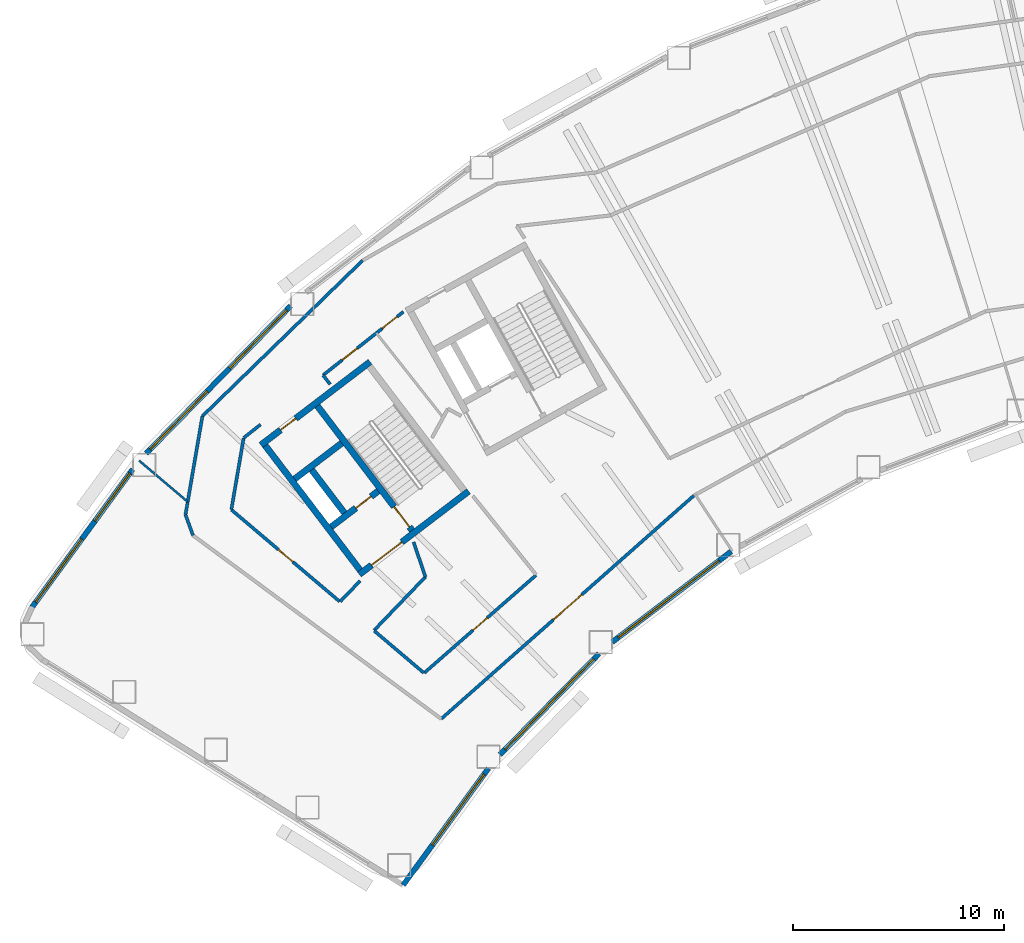
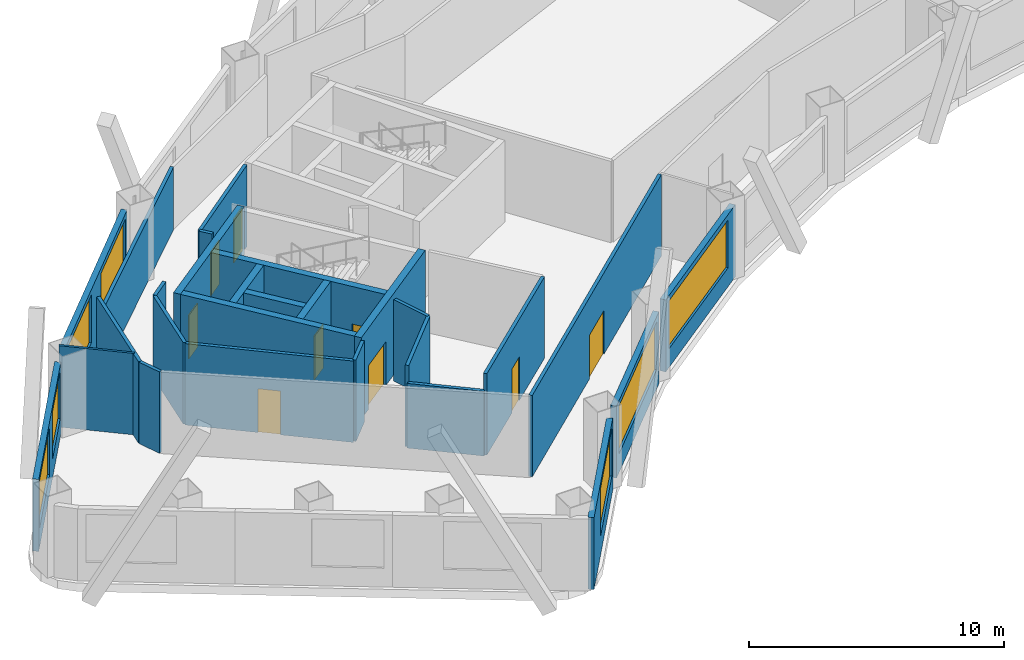
# One storey, part 3 of 11: 27 walls, 9 doors, 7 windows, 16 openings.
"""IFC4 building model written with IfcOpenShell, lengths in metres."""

from ifc_helpers import new_model, si_unit, direction, frame, frame_2d, origin, place, context, subcontext, project, spatial, rectangle, extrude, material, layer, layer_set, type_object, element, fill, save


model = new_model("IFC4")

# Units and contexts
model_context = context("Model", 3, precision=1e-05, world=origin(), true_north=direction((0.0, 1.0)))
body_context = subcontext(model_context, "Body", "Model", "MODEL_VIEW")
ifc_project = project(units=[si_unit("LENGTHUNIT", "METRE"), si_unit("AREAUNIT", "SQUARE_METRE"), si_unit("VOLUMEUNIT", "CUBIC_METRE"), si_unit("PLANEANGLEUNIT", "RADIAN"), si_unit("MASSUNIT", "GRAM", prefix="KILO")], contexts=[model_context])

# Site, building, storey
site_placement = place(None, origin())
site = spatial("IfcSite", under=ifc_project, at=site_placement, CompositionType="ELEMENT")
building_placement = place(site_placement, origin())
building = spatial("IfcBuilding", under=site, at=building_placement, Name="Tuul Gate Civic Tower", CompositionType="ELEMENT")
storey_placement = place(building_placement, frame((0.0, 0.0, 99.300048828125)))
storey = spatial("IfcBuildingStorey", under=building, at=storey_placement, Name="Level 22", CompositionType="ELEMENT", Elevation=99.300048828125)

# Wall, opening, door
ifc_material_1 = material(Name="Concrete C50/60", Category="concrete")
ifc_layer_1 = layer(ifc_material_1, 0.300048828125)
ifc_layer_set_1 = layer_set([ifc_layer_1], Name="Concrete C50/60")
wall_type_1 = type_object("IfcWallType", Name="Core wall C50/60", PredefinedType="SHEAR", material=ifc_layer_set_1)
wall_1_placement = place(storey_placement, frame((-31.19091796875, -13.669677734375, 0.0), z_axis=(0.0, 0.0, 1.0), x_axis=(-0.795606717756, -0.605813461934, 0.0)))
wall_1 = element("IfcWall", 1, at=wall_1_placement, inside=storey, type_object=wall_type_1, Name="Core wall", PredefinedType="SHEAR", context=body_context, shape_type="SweptSolid", body=[
    extrude(rectangle(XDim=6.5, YDim=0.300048828125, at=frame_2d((3.25, 0.0))), origin(), (0.0, 0.0, 1.0), 3.89990234375),
])
opening_1_placement = place(wall_1_placement, frame((3.97509765625, 0.0, 0.0)))
opening_1 = element("IfcOpeningElement", 2, at=opening_1_placement, cuts=wall_1, Name="Opening LB-W1-LOBBY-1", PredefinedType="OPENING", context=body_context, shape_type="SweptSolid", body=[
    extrude(rectangle(XDim=1.800048828125, YDim=2.10009765625, at=frame_2d((0.89990234375, 1.050048828125))), frame((0.0, 0.16015625, 0.0), z_axis=(0.0, -1.0, 0.0), x_axis=(1.0, 0.0, 0.0)), (0.0, 0.0, 1.0), 0.320068359375),
])
ifc_material_2 = material(Name="Steel", Category="steel")
door_type_1 = type_object("IfcDoorType", Name="Lobby door", OperationType="DOUBLE_DOOR_SINGLE_SWING", PredefinedType="DOOR", material=ifc_material_2)
door_1_placement = place(opening_1_placement, origin())
door_1 = element("IfcDoor", 3, at=door_1_placement, inside=storey, type_object=door_type_1, Name="Lobby door W1-LOBBY", OperationType="DOUBLE_DOOR_SINGLE_SWING", OverallHeight=2.10009765625, OverallWidth=1.800048828125, PredefinedType="DOOR", context=body_context, shape_type="SweptSolid", body=[
    extrude(rectangle(XDim=1.800048828125, YDim=2.10009765625, at=frame_2d((0.89990234375, 1.050048828125))), frame((0.0, 0.02490234375, 0.0), z_axis=(0.0, -1.0, 0.0), x_axis=(1.0, 0.0, 0.0)), (0.0, 0.0, 1.0), 0.050048828125),
])
fill(opening_1, door_1)

wall_2_placement = place(storey_placement, frame((-35.470947265625, -13.66064453125, 0.0), z_axis=(0.0, 0.0, 1.0), x_axis=(-0.795615822227, -0.605801504968, 0.0)))
wall_2 = element("IfcWall", 4, at=wall_2_placement, inside=storey, type_object=wall_type_1, Name="Core wall", PredefinedType="SHEAR", context=body_context, shape_type="SweptSolid", body=[
    extrude(rectangle(XDim=2.800048828125, YDim=0.300048828125, at=frame_2d((1.39990234375, 0.0))), origin(), (0.0, 0.0, 1.0), 3.89990234375),
])
opening_2_placement = place(wall_2_placement, frame((0.425048828125, 0.0, 0.0)))
opening_2 = element("IfcOpeningElement", 5, at=opening_2_placement, cuts=wall_2, Name="Opening FB-W1A1", PredefinedType="OPENING", context=body_context, shape_type="SweptSolid", body=[
    extrude(rectangle(XDim=0.89990234375, YDim=2.10009765625, at=frame_2d((0.449951171875, 1.050048828125))), frame((0.0, 0.16015625, 0.0), z_axis=(0.0, -1.0, 0.0), x_axis=(1.0, 0.0, 0.0)), (0.0, 0.0, 1.0), 0.320068359375),
])
ifc_material_3 = material(Name="Steel", Category="steel")
door_type_2 = type_object("IfcDoorType", Name="Store door", OperationType="NOTDEFINED", PredefinedType="DOOR", material=ifc_material_3)
door_2_placement = place(opening_2_placement, origin())
door_2 = element("IfcDoor", 6, at=door_2_placement, inside=storey, type_object=door_type_2, Name="Store door W1A1", OperationType="SINGLE_SWING_LEFT", OverallHeight=2.10009765625, OverallWidth=0.89990234375, PredefinedType="DOOR", context=body_context, shape_type="SweptSolid", body=[
    extrude(rectangle(XDim=0.89990234375, YDim=2.10009765625, at=frame_2d((0.449951171875, 1.050048828125))), frame((0.0, 0.02490234375, 0.0), z_axis=(0.0, -1.0, 0.0), x_axis=(1.0, 0.0, 0.0)), (0.0, 0.0, 1.0), 0.050048828125),
])
fill(opening_2, door_2)

# Wall
wall_3_placement = place(storey_placement, frame((-37.197509765625, -11.39306640625, 0.0), z_axis=(0.0, 0.0, 1.0), x_axis=(-0.795583820278, -0.605843531707, 0.0)))
element("IfcWall", 7, at=wall_3_placement, inside=storey, type_object=wall_type_1, Name="Core wall", PredefinedType="SHEAR", context=body_context, shape_type="SweptSolid", body=[
    extrude(rectangle(XDim=2.7998046875, YDim=0.300048828125, at=frame_2d((1.39990234375, 0.0))), origin(), (0.0, 0.0, 1.0), 3.89990234375),
])

# Wall, opening, door
wall_4_placement = place(storey_placement, frame((-35.855224609375, -7.543212890625, 0.0), z_axis=(0.0, 0.0, 1.0), x_axis=(-0.79563860527, -0.605771582202, 0.0)))
wall_4 = element("IfcWall", 8, at=wall_4_placement, inside=storey, type_object=wall_type_1, Name="Core wall", PredefinedType="SHEAR", context=body_context, shape_type="SweptSolid", body=[
    extrude(rectangle(XDim=6.5, YDim=0.300048828125, at=frame_2d((3.25, 0.0))), origin(), (0.0, 0.0, 1.0), 3.89990234375),
])
opening_3_placement = place(wall_4_placement, frame((4.425048828125, 0.0, 0.0)))
opening_3 = element("IfcOpeningElement", 9, at=opening_3_placement, cuts=wall_4, Name="Opening G-D25", PredefinedType="OPENING", context=body_context, shape_type="SweptSolid", body=[
    extrude(rectangle(XDim=0.89990234375, YDim=2.10009765625, at=frame_2d((0.449951171875, 1.050048828125))), frame((0.0, 0.16015625, 0.0), z_axis=(0.0, -1.0, 0.0), x_axis=(1.0, 0.0, 0.0)), (0.0, 0.0, 1.0), 0.320068359375),
])
ifc_material_4 = material(Name="Timber door leaf", Category="wood")
door_type_3 = type_object("IfcDoorType", Name="Door D09", OperationType="NOTDEFINED", PredefinedType="DOOR", material=ifc_material_4)
door_3_placement = place(opening_3_placement, origin())
door_3 = element("IfcDoor", 10, at=door_3_placement, inside=storey, type_object=door_type_3, Name="Door G-D25", OperationType="SINGLE_SWING_LEFT", OverallHeight=2.10009765625, OverallWidth=0.89990234375, PredefinedType="DOOR", context=body_context, shape_type="SweptSolid", body=[
    extrude(rectangle(XDim=0.89990234375, YDim=2.10009765625, at=frame_2d((0.449951171875, 1.050048828125))), frame((0.0, 0.02490234375, 0.0), z_axis=(0.0, -1.0, 0.0), x_axis=(1.0, 0.0, 0.0)), (0.0, 0.0, 1.0), 0.050048828125),
])
fill(opening_3, door_3)

wall_5_placement = place(storey_placement, frame((-33.867431640625, -15.51904296875, 0.0), z_axis=(0.0, 0.0, 1.0), x_axis=(-0.605769822278, 0.795639945213, 0.0)))
wall_5 = element("IfcWall", 11, at=wall_5_placement, inside=storey, type_object=wall_type_1, Name="Core wall", PredefinedType="SHEAR", context=body_context, shape_type="SweptSolid", body=[
    extrude(rectangle(XDim=7.39990234375, YDim=0.300048828125, at=frame_2d((3.699951171875, 0.0))), origin(), (0.0, 0.0, 1.0), 3.89990234375),
])
opening_4_placement = place(wall_5_placement, frame((0.199951171875, 0.0, 0.0)))
opening_4 = element("IfcOpeningElement", 12, at=opening_4_placement, cuts=wall_5, Name="Opening SD-ST-1", PredefinedType="OPENING", context=body_context, shape_type="SweptSolid", body=[
    extrude(rectangle(XDim=1.199951171875, YDim=2.10009765625, at=frame_2d((0.60009765625, 1.050048828125))), frame((0.0, 0.16015625, 0.0), z_axis=(0.0, -1.0, 0.0), x_axis=(1.0, 0.0, 0.0)), (0.0, 0.0, 1.0), 0.320068359375),
])
ifc_material_5 = material(Name="Steel", Category="steel")
door_type_4 = type_object("IfcDoorType", Name="Stair door", OperationType="NOTDEFINED", PredefinedType="DOOR", material=ifc_material_5)
door_4_placement = place(opening_4_placement, origin())
door_4 = element("IfcDoor", 13, at=door_4_placement, inside=storey, type_object=door_type_4, Name="Stair door ST-1", OperationType="SINGLE_SWING_LEFT", OverallHeight=2.10009765625, OverallWidth=1.199951171875, PredefinedType="DOOR", context=body_context, shape_type="SweptSolid", body=[
    extrude(rectangle(XDim=1.199951171875, YDim=2.10009765625, at=frame_2d((0.60009765625, 1.050048828125))), frame((0.0, 0.02490234375, 0.0), z_axis=(0.0, -1.0, 0.0), x_axis=(1.0, 0.0, 0.0)), (0.0, 0.0, 1.0), 0.050048828125),
])
fill(opening_4, door_4)

# Walls
wall_6_placement = place(storey_placement, frame((-37.073486328125, -14.6923828125, 0.0), z_axis=(0.0, 0.0, 1.0), x_axis=(-0.605728760074, 0.79567120673, 0.0)))
element("IfcWall", 14, at=wall_6_placement, inside=storey, type_object=wall_type_1, Name="Core wall", PredefinedType="SHEAR", context=body_context, shape_type="SweptSolid", body=[
    extrude(rectangle(XDim=2.550048828125, YDim=0.300048828125, at=frame_2d((1.27490234375, 0.0))), origin(), (0.0, 0.0, 1.0), 3.89990234375),
])
wall_7_placement = place(storey_placement, frame((-36.333984375, -17.397216796875, 0.0), z_axis=(0.0, 0.0, 1.0), x_axis=(-0.605753921168, 0.795652051458, 0.0)))
element("IfcWall", 15, at=wall_7_placement, inside=storey, type_object=wall_type_1, Name="Core wall", PredefinedType="SHEAR", context=body_context, shape_type="SweptSolid", body=[
    extrude(rectangle(XDim=7.400146484375, YDim=0.300048828125, at=frame_2d((3.7001953125, 0.0))), origin(), (0.0, 0.0, 1.0), 3.89990234375),
])
ifc_material_6 = material(Name="Gypsum board partition")
ifc_layer_2 = layer(ifc_material_6, 0.14990234375)
ifc_layer_set_2 = layer_set([ifc_layer_2], Name="Gypsum board partition")
wall_type_2 = type_object("IfcWallType", Name="Corridor wall P150", PredefinedType="PARTITIONING", material=ifc_layer_set_2)
wall_8_placement = place(storey_placement, frame((-44.59521484375, -14.7802734375, 0.0), z_axis=(0.0, 0.0, 1.0), x_axis=(0.169055426536, 0.985606545615, 0.0)))
element("IfcWall", 16, at=wall_8_placement, inside=storey, type_object=wall_type_2, Name="p017", PredefinedType="PARTITIONING", context=body_context, shape_type="SweptSolid", body=[
    extrude(rectangle(XDim=4.73388671875, YDim=0.14990234375, at=frame_2d((2.366943359375, 0.0))), origin(), (0.0, 0.0, 1.0), 3.89990234375),
])

# Wall, opening, door
wall_9_placement = place(storey_placement, frame((-32.48779296875, -24.447509765625, 0.0), z_axis=(0.0, 0.0, 1.0), x_axis=(0.749311969877, 0.662217163624, 0.0)))
wall_9 = element("IfcWall", 17, at=wall_9_placement, inside=storey, type_object=wall_type_2, Name="p024", PredefinedType="PARTITIONING", context=body_context, shape_type="SweptSolid", body=[
    extrude(rectangle(XDim=15.966796875, YDim=0.14990234375, at=frame_2d((7.9833984375, 0.0))), origin(), (0.0, 0.0, 1.0), 3.89990234375),
])
opening_5_placement = place(wall_9_placement, frame((7.083251953125, 0.0, 0.0)))
opening_5 = element("IfcOpeningElement", 18, at=opening_5_placement, cuts=wall_9, Name="Opening G-D08", PredefinedType="OPENING", context=body_context, shape_type="SweptSolid", body=[
    extrude(rectangle(XDim=1.800048828125, YDim=2.10009765625, at=frame_2d((0.89990234375, 1.050048828125))), frame((0.0, 0.0849609375, 0.0), z_axis=(0.0, -1.0, 0.0), x_axis=(1.0, 0.0, 0.0)), (0.0, 0.0, 1.0), 0.169921875),
])
ifc_material_7 = material(Name="Timber door leaf, double", Category="wood")
door_type_5 = type_object("IfcDoorType", Name="Door D18", OperationType="DOUBLE_DOOR_SINGLE_SWING", PredefinedType="DOOR", material=ifc_material_7)
door_5_placement = place(opening_5_placement, frame((1.800048828125, 0.0, 0.0), z_axis=(0.0, 0.0, 1.0), x_axis=(-1.0, 0.0, 0.0)))
door_5 = element("IfcDoor", 19, at=door_5_placement, inside=storey, type_object=door_type_5, Name="Door G-D08", OperationType="DOUBLE_DOOR_SINGLE_SWING", OverallHeight=2.10009765625, OverallWidth=1.800048828125, PredefinedType="DOOR", context=body_context, shape_type="SweptSolid", body=[
    extrude(rectangle(XDim=1.800048828125, YDim=2.10009765625, at=frame_2d((0.900146484375, 1.050048828125))), frame((0.0, 0.02490234375, 0.0), z_axis=(0.0, -1.0, 0.0), x_axis=(1.0, 0.0, 0.0)), (0.0, 0.0, 1.0), 0.050048828125),
])
fill(opening_5, door_5)

# Walls
wall_10_placement = place(storey_placement, frame((-44.59521484375, -14.7802734375, 0.0), z_axis=(0.0, 0.0, 1.0), x_axis=(0.341856016558, -0.939752341813, 0.0)))
element("IfcWall", 20, at=wall_10_placement, inside=storey, type_object=wall_type_2, Name="p026", PredefinedType="PARTITIONING", context=body_context, shape_type="SweptSolid", body=[
    extrude(rectangle(XDim=1.041259765625, YDim=0.14990234375, at=frame_2d((0.5205078125, 0.0))), origin(), (0.0, 0.0, 1.0), 3.89990234375),
])
wall_11_placement = place(storey_placement, frame((-38.083251953125, -8.17626953125, 0.0), z_axis=(0.0, 0.0, 1.0), x_axis=(0.619832634479, -0.784734034712, 0.0)))
element("IfcWall", 21, at=wall_11_placement, inside=storey, type_object=wall_type_2, Name="p034", PredefinedType="PARTITIONING", context=body_context, shape_type="SweptSolid", body=[
    extrude(rectangle(XDim=0.54638671875, YDim=0.14990234375, at=frame_2d((0.273193359375, 0.0))), origin(), (0.0, 0.0, 1.0), 3.89990234375),
])
wall_12_placement = place(storey_placement, frame((-41.834716796875, -11.138916015625, 0.0), z_axis=(0.0, 0.0, 1.0), x_axis=(0.784697148831, 0.61987933069, 0.0)))
element("IfcWall", 22, at=wall_12_placement, inside=storey, type_object=wall_type_2, Name="p035", PredefinedType="PARTITIONING", context=body_context, shape_type="SweptSolid", body=[
    extrude(rectangle(XDim=1.01025390625, YDim=0.14990234375, at=frame_2d((0.505126953125, 0.0))), origin(), (0.0, 0.0, 1.0), 3.89990234375),
])

# Wall, openings, doors
wall_13_placement = place(storey_placement, frame((-38.083251953125, -8.17626953125, 0.0), z_axis=(0.0, 0.0, 1.0), x_axis=(0.784779612549, 0.619774926668, 0.0)))
wall_13 = element("IfcWall", 23, at=wall_13_placement, inside=storey, type_object=wall_type_2, Name="p036", PredefinedType="PARTITIONING", context=body_context, shape_type="SweptSolid", body=[
    extrude(rectangle(XDim=4.84716796875, YDim=0.14990234375, at=frame_2d((2.423583984375, 0.0))), origin(), (0.0, 0.0, 1.0), 3.89990234375),
])
opening_6_placement = place(wall_13_placement, frame((1.159912109375, 0.0, 0.0)))
opening_6 = element("IfcOpeningElement", 24, at=opening_6_placement, cuts=wall_13, Name="Opening G-D12", PredefinedType="OPENING", context=body_context, shape_type="SweptSolid", body=[
    extrude(rectangle(XDim=0.89990234375, YDim=2.10009765625, at=frame_2d((0.449951171875, 1.050048828125))), frame((0.0, 0.0849609375, 0.0), z_axis=(0.0, -1.0, 0.0), x_axis=(1.0, 0.0, 0.0)), (0.0, 0.0, 1.0), 0.169921875),
])
opening_7_placement = place(wall_13_placement, frame((3.569091796875, 0.0, 0.0)))
opening_7 = element("IfcOpeningElement", 25, at=opening_7_placement, cuts=wall_13, Name="Opening G-D24", PredefinedType="OPENING", context=body_context, shape_type="SweptSolid", body=[
    extrude(rectangle(XDim=0.89990234375, YDim=2.10009765625, at=frame_2d((0.449951171875, 1.050048828125))), frame((0.0, 0.0849609375, 0.0), z_axis=(0.0, -1.0, 0.0), x_axis=(1.0, 0.0, 0.0)), (0.0, 0.0, 1.0), 0.169921875),
])
door_6_placement = place(opening_6_placement, origin())
door_6 = element("IfcDoor", 26, at=door_6_placement, inside=storey, type_object=door_type_3, Name="Door G-D12", OperationType="SINGLE_SWING_RIGHT", OverallHeight=2.10009765625, OverallWidth=0.89990234375, PredefinedType="DOOR", context=body_context, shape_type="SweptSolid", body=[
    extrude(rectangle(XDim=0.89990234375, YDim=2.10009765625, at=frame_2d((0.449951171875, 1.050048828125))), frame((0.0, 0.02490234375, 0.0), z_axis=(0.0, -1.0, 0.0), x_axis=(1.0, 0.0, 0.0)), (0.0, 0.0, 1.0), 0.050048828125),
])
fill(opening_6, door_6)
door_7_placement = place(opening_7_placement, frame((0.89990234375, 0.0, 0.0), z_axis=(0.0, 0.0, 1.0), x_axis=(-1.0, 0.0, 0.0)))
door_7 = element("IfcDoor", 27, at=door_7_placement, inside=storey, type_object=door_type_3, Name="Door G-D24", OperationType="SINGLE_SWING_RIGHT", OverallHeight=2.10009765625, OverallWidth=0.89990234375, PredefinedType="DOOR", context=body_context, shape_type="SweptSolid", body=[
    extrude(rectangle(XDim=0.89990234375, YDim=2.10009765625, at=frame_2d((0.449951171875, 1.050048828125))), frame((0.0, 0.02490234375, 0.0), z_axis=(0.0, -1.0, 0.0), x_axis=(1.0, 0.0, 0.0)), (0.0, 0.0, 1.0), 0.050048828125),
])
fill(opening_7, door_7)

# Wall
wall_14_placement = place(storey_placement, frame((-37.26708984375, -18.89111328125, 0.0), z_axis=(0.0, 0.0, 1.0), x_axis=(0.69281148045, 0.721118750662, 0.0)))
element("IfcWall", 28, at=wall_14_placement, inside=storey, type_object=wall_type_2, Name="p039", PredefinedType="PARTITIONING", context=body_context, shape_type="SweptSolid", body=[
    extrude(rectangle(XDim=1.36279296875, YDim=0.14990234375, at=frame_2d((0.681396484375, 0.0))), origin(), (0.0, 0.0, 1.0), 3.89990234375),
])

# Wall, opening, door
wall_15_placement = place(storey_placement, frame((-42.415283203125, -14.5517578125, 0.0), z_axis=(0.0, 0.0, 1.0), x_axis=(0.762828712337, -0.646600615244, 0.0)))
wall_15 = element("IfcWall", 29, at=wall_15_placement, inside=storey, type_object=wall_type_2, Name="p040", PredefinedType="PARTITIONING", context=body_context, shape_type="SweptSolid", body=[
    extrude(rectangle(XDim=6.71337890625, YDim=0.14990234375, at=frame_2d((3.356689453125, 0.0))), origin(), (0.0, 0.0, 1.0), 3.89990234375),
])
opening_8_placement = place(wall_15_placement, frame((2.906494140625, 0.0, 0.0)))
opening_8 = element("IfcOpeningElement", 30, at=opening_8_placement, cuts=wall_15, Name="Opening G-D13", PredefinedType="OPENING", context=body_context, shape_type="SweptSolid", body=[
    extrude(rectangle(XDim=0.89990234375, YDim=2.10009765625, at=frame_2d((0.449951171875, 1.050048828125))), frame((0.0, 0.0849609375, 0.0), z_axis=(0.0, -1.0, 0.0), x_axis=(1.0, 0.0, 0.0)), (0.0, 0.0, 1.0), 0.169921875),
])
door_8_placement = place(opening_8_placement, origin())
door_8 = element("IfcDoor", 31, at=door_8_placement, inside=storey, type_object=door_type_3, Name="Door G-D13", OperationType="SINGLE_SWING_RIGHT", OverallHeight=2.10009765625, OverallWidth=0.89990234375, PredefinedType="DOOR", context=body_context, shape_type="SweptSolid", body=[
    extrude(rectangle(XDim=0.89990234375, YDim=2.10009765625, at=frame_2d((0.449951171875, 1.050048828125))), frame((0.0, 0.02490234375, 0.0), z_axis=(0.0, -1.0, 0.0), x_axis=(1.0, 0.0, 0.0)), (0.0, 0.0, 1.0), 0.050048828125),
])
fill(opening_8, door_8)

# Wall
wall_16_placement = place(storey_placement, frame((-42.422119140625, -14.533203125, 0.0), z_axis=(0.0, 0.0, 1.0), x_axis=(0.169046754249, 0.985608033083, 0.0)))
element("IfcWall", 32, at=wall_16_placement, inside=storey, type_object=wall_type_2, Name="p042", PredefinedType="PARTITIONING", context=body_context, shape_type="SweptSolid", body=[
    extrude(rectangle(XDim=3.431396484375, YDim=0.14990234375, at=frame_2d((1.7158203125, 0.0))), origin(), (0.0, 0.0, 1.0), 3.89990234375),
])

# Wall, opening, door
wall_17_placement = place(storey_placement, frame((-33.28564453125, -22.26806640625, 0.0), z_axis=(0.0, 0.0, 1.0), x_axis=(0.752637006597, 0.658435673624, 0.0)))
wall_17 = element("IfcWall", 33, at=wall_17_placement, inside=storey, type_object=wall_type_2, Name="p076", PredefinedType="PARTITIONING", context=body_context, shape_type="SweptSolid", body=[
    extrude(rectangle(XDim=7.02099609375, YDim=0.14990234375, at=frame_2d((3.510498046875, 0.0))), origin(), (0.0, 0.0, 1.0), 3.89990234375),
])
opening_9_placement = place(wall_17_placement, frame((3.060302734375, 0.0, 0.0)))
opening_9 = element("IfcOpeningElement", 34, at=opening_9_placement, cuts=wall_17, Name="Opening G-D20", PredefinedType="OPENING", context=body_context, shape_type="SweptSolid", body=[
    extrude(rectangle(XDim=0.89990234375, YDim=2.10009765625, at=frame_2d((0.449951171875, 1.050048828125))), frame((0.0, 0.0849609375, 0.0), z_axis=(0.0, -1.0, 0.0), x_axis=(1.0, 0.0, 0.0)), (0.0, 0.0, 1.0), 0.169921875),
])
door_9_placement = place(opening_9_placement, origin())
door_9 = element("IfcDoor", 35, at=door_9_placement, inside=storey, type_object=door_type_3, Name="Door G-D20", OperationType="SINGLE_SWING_RIGHT", OverallHeight=2.10009765625, OverallWidth=0.89990234375, PredefinedType="DOOR", context=body_context, shape_type="SweptSolid", body=[
    extrude(rectangle(XDim=0.89990234375, YDim=2.10009765625, at=frame_2d((0.449951171875, 1.050048828125))), frame((0.0, 0.02490234375, 0.0), z_axis=(0.0, -1.0, 0.0), x_axis=(1.0, 0.0, 0.0)), (0.0, 0.0, 1.0), 0.050048828125),
])
fill(opening_9, door_9)

# Walls
wall_18_placement = place(storey_placement, frame((-35.66015625, -20.249755859375, 0.0), z_axis=(0.0, 0.0, 1.0), x_axis=(0.692817567144, 0.72111290285, 0.0)))
element("IfcWall", 36, at=wall_18_placement, inside=storey, type_object=wall_type_2, Name="p078", PredefinedType="PARTITIONING", context=body_context, shape_type="SweptSolid", body=[
    extrude(rectangle(XDim=3.503173828125, YDim=0.14990234375, at=frame_2d((1.75146484375, 0.0))), origin(), (0.0, 0.0, 1.0), 3.89990234375),
])
wall_19_placement = place(storey_placement, frame((-33.797607421875, -16.077392578125, 0.0), z_axis=(0.0, 0.0, 1.0), x_axis=(0.324467839266, -0.945896728656, 0.0)))
element("IfcWall", 37, at=wall_19_placement, inside=storey, type_object=wall_type_2, Name="p079", PredefinedType="PARTITIONING", context=body_context, shape_type="SweptSolid", body=[
    extrude(rectangle(XDim=1.73974609375, YDim=0.14990234375, at=frame_2d((0.869873046875, 0.0))), origin(), (0.0, 0.0, 1.0), 3.89990234375),
])
ifc_material_8 = material(Name="Gypsum board partition")
ifc_layer_3 = layer(ifc_material_8, 0.14990234375)
ifc_layer_set_3 = layer_set([ifc_layer_3], Name="Gypsum board partition")
wall_type_3 = type_object("IfcWallType", Name="Corridor wall P150 3000 HIGH", PredefinedType="PARTITIONING", material=ifc_layer_set_3)
wall_20_placement = place(storey_placement, frame((-43.794921875, -10.114501953125, 0.0), z_axis=(0.0, 0.0, 1.0), x_axis=(0.717142606126, 0.69692645414, 0.0)))
element("IfcWall", 38, at=wall_20_placement, inside=storey, type_object=wall_type_3, Name="p021", PredefinedType="PARTITIONING", context=body_context, shape_type="SweptSolid", body=[
    extrude(rectangle(XDim=10.5791015625, YDim=0.14990234375, at=frame_2d((5.28955078125, 0.0))), origin(), (0.0, 0.0, 1.0), 3.0),
])
ifc_material_9 = material(Name="Gypsum board partition")
ifc_layer_4 = layer(ifc_material_9, 0.14990234375)
ifc_layer_set_4 = layer_set([ifc_layer_4], Name="Gypsum board partition")
wall_type_4 = type_object("IfcWallType", Name="Corridor wall P150 3100 HIGH", PredefinedType="PARTITIONING", material=ifc_layer_set_4)
wall_21_placement = place(storey_placement, frame((-35.65869140625, -20.27880859375, 0.0), z_axis=(0.0, 0.0, 1.0), x_axis=(0.762802058866, -0.646632058431, 0.0)))
element("IfcWall", 39, at=wall_21_placement, inside=storey, type_object=wall_type_4, Name="p041", PredefinedType="PARTITIONING", context=body_context, shape_type="SweptSolid", body=[
    extrude(rectangle(XDim=3.07666015625, YDim=0.14990234375, at=frame_2d((1.538330078125, 0.0))), origin(), (0.0, 0.0, 1.0), 3.099853515625),
])

# Wall, openings, windows
ifc_material_10 = material(Name="Precast concrete C40/50", Category="concrete")
ifc_layer_5 = layer(ifc_material_10, 0.25)
ifc_layer_set_5 = layer_set([ifc_layer_5], Name="Precast concrete C40/50")
wall_type_5 = type_object("IfcWallType", Name="External wall", PredefinedType="STANDARD", material=ifc_layer_set_5)
wall_22_placement = place(storey_placement, frame((-39.618896484375, -4.901611328125, 0.0), z_axis=(0.0, 0.0, 1.0), x_axis=(-0.699999704783, -0.714143132224, 0.0)))
wall_22 = element("IfcWall", 40, at=wall_22_placement, inside=storey, type_object=wall_type_5, Name="External wall", PredefinedType="STANDARD", context=body_context, shape_type="SweptSolid", body=[
    extrude(rectangle(XDim=9.770263671875, YDim=0.25, at=frame_2d((4.88525390625, 0.0))), origin(), (0.0, 0.0, 1.0), 3.449951171875),
])
opening_10_placement = place(wall_22_placement, frame((0.273193359375, 0.0, 0.89990234375)))
opening_10 = element("IfcOpeningElement", 41, at=opening_10_placement, cuts=wall_22, Name="Opening W22", PredefinedType="OPENING", context=body_context, shape_type="SweptSolid", body=[
    extrude(rectangle(XDim=3.85009765625, YDim=2.300048828125, at=frame_2d((1.925048828125, 1.14990234375))), frame((0.0, 0.135009765625, 0.0), z_axis=(0.0, -1.0, 0.0), x_axis=(1.0, 0.0, 0.0)), (0.0, 0.0, 1.0), 0.27001953125),
])
opening_11_placement = place(wall_22_placement, frame((5.64453125, 0.0, 0.89990234375)))
opening_11 = element("IfcOpeningElement", 42, at=opening_11_placement, cuts=wall_22, Name="Opening W22", PredefinedType="OPENING", context=body_context, shape_type="SweptSolid", body=[
    extrude(rectangle(XDim=3.85009765625, YDim=2.300048828125, at=frame_2d((1.925048828125, 1.14990234375))), frame((0.0, 0.135009765625, 0.0), z_axis=(0.0, -1.0, 0.0), x_axis=(1.0, 0.0, 0.0)), (0.0, 0.0, 1.0), 0.27001953125),
])
ifc_material_11 = material(Name="Glass", Category="glass")
window_type_1 = type_object("IfcWindowType", Name="Window W22 3850 x 2300", PartitioningType="SINGLE_PANEL", PredefinedType="WINDOW", material=ifc_material_11)
window_1_placement = place(opening_10_placement, origin())
window_1 = element("IfcWindow", 43, at=window_1_placement, inside=storey, type_object=window_type_1, Name="Window", OverallHeight=2.300048828125, OverallWidth=3.85009765625, PartitioningType="SINGLE_PANEL", PredefinedType="WINDOW", context=body_context, shape_type="SweptSolid", body=[
    extrude(rectangle(XDim=3.85009765625, YDim=2.300048828125, at=frame_2d((1.925048828125, 1.14990234375))), frame((0.0, 0.030029296875, 0.0), z_axis=(0.0, -1.0, 0.0), x_axis=(1.0, 0.0, 0.0)), (0.0, 0.0, 1.0), 0.06005859375),
])
fill(opening_10, window_1)
window_2_placement = place(opening_11_placement, origin())
window_2 = element("IfcWindow", 44, at=window_2_placement, inside=storey, type_object=window_type_1, Name="Window", OverallHeight=2.300048828125, OverallWidth=3.85009765625, PartitioningType="SINGLE_PANEL", PredefinedType="WINDOW", context=body_context, shape_type="SweptSolid", body=[
    extrude(rectangle(XDim=3.85009765625, YDim=2.300048828125, at=frame_2d((1.925048828125, 1.14990234375))), frame((0.0, 0.030029296875, 0.0), z_axis=(0.0, -1.0, 0.0), x_axis=(1.0, 0.0, 0.0)), (0.0, 0.0, 1.0), 0.06005859375),
])
fill(opening_11, window_2)

wall_23_placement = place(storey_placement, frame((-47.093017578125, -12.6318359375, 0.0), z_axis=(0.0, 0.0, 1.0), x_axis=(-0.589890871529, -0.807482977955, 0.0)))
wall_23 = element("IfcWall", 45, at=wall_23_placement, inside=storey, type_object=wall_type_5, Name="External wall", PredefinedType="STANDARD", context=body_context, shape_type="SweptSolid", body=[
    extrude(rectangle(XDim=8.0830078125, YDim=0.25, at=frame_2d((4.04150390625, 0.0))), origin(), (0.0, 0.0, 1.0), 3.449951171875),
])
opening_12_placement = place(wall_23_placement, frame((0.23046875, 0.0, 0.89990234375)))
opening_12 = element("IfcOpeningElement", 46, at=opening_12_placement, cuts=wall_23, Name="Opening W23", PredefinedType="OPENING", context=body_context, shape_type="SweptSolid", body=[
    extrude(rectangle(XDim=2.800048828125, YDim=2.300048828125, at=frame_2d((1.39990234375, 1.14990234375))), frame((0.0, 0.135009765625, 0.0), z_axis=(0.0, -1.0, 0.0), x_axis=(1.0, 0.0, 0.0)), (0.0, 0.0, 1.0), 0.27001953125),
])
opening_13_placement = place(wall_23_placement, frame((4.08203125, 0.0, 0.89990234375)))
opening_13 = element("IfcOpeningElement", 47, at=opening_13_placement, cuts=wall_23, Name="Opening W21", PredefinedType="OPENING", context=body_context, shape_type="SweptSolid", body=[
    extrude(rectangle(XDim=3.699951171875, YDim=2.300048828125, at=frame_2d((1.85009765625, 1.14990234375))), frame((0.0, 0.135009765625, 0.0), z_axis=(0.0, -1.0, 0.0), x_axis=(1.0, 0.0, 0.0)), (0.0, 0.0, 1.0), 0.27001953125),
])
ifc_material_12 = material(Name="Glass", Category="glass")
window_type_2 = type_object("IfcWindowType", Name="Window W21 3700 x 2300", PartitioningType="SINGLE_PANEL", PredefinedType="WINDOW", material=ifc_material_12)
window_3_placement = place(opening_13_placement, origin())
window_3 = element("IfcWindow", 48, at=window_3_placement, inside=storey, type_object=window_type_2, Name="Window", OverallHeight=2.300048828125, OverallWidth=3.699951171875, PartitioningType="SINGLE_PANEL", PredefinedType="WINDOW", context=body_context, shape_type="SweptSolid", body=[
    extrude(rectangle(XDim=3.699951171875, YDim=2.300048828125, at=frame_2d((1.85009765625, 1.14990234375))), frame((0.0, 0.030029296875, 0.0), z_axis=(0.0, -1.0, 0.0), x_axis=(1.0, 0.0, 0.0)), (0.0, 0.0, 1.0), 0.06005859375),
])
fill(opening_13, window_3)
ifc_material_13 = material(Name="Glass", Category="glass")
window_type_3 = type_object("IfcWindowType", Name="Window W23 2800 x 2300", PartitioningType="SINGLE_PANEL", PredefinedType="WINDOW", material=ifc_material_13)
window_4_placement = place(opening_12_placement, origin())
window_4 = element("IfcWindow", 49, at=window_4_placement, inside=storey, type_object=window_type_3, Name="Window", OverallHeight=2.300048828125, OverallWidth=2.800048828125, PartitioningType="SINGLE_PANEL", PredefinedType="WINDOW", context=body_context, shape_type="SweptSolid", body=[
    extrude(rectangle(XDim=2.800048828125, YDim=2.300048828125, at=frame_2d((1.39990234375, 1.14990234375))), frame((0.0, 0.030029296875, 0.0), z_axis=(0.0, -1.0, 0.0), x_axis=(1.0, 0.0, 0.0)), (0.0, 0.0, 1.0), 0.06005859375),
])
fill(opening_12, window_4)

# Wall, opening, window
wall_24_placement = place(storey_placement, frame((-34.291015625, -32.318359375, 0.0), z_axis=(0.0, 0.0, 1.0), x_axis=(0.589868212008, 0.807499530936, 0.0)))
wall_24 = element("IfcWall", 50, at=wall_24_placement, inside=storey, type_object=wall_type_5, Name="External wall", PredefinedType="STANDARD", context=body_context, shape_type="SweptSolid", body=[
    extrude(rectangle(XDim=6.8486328125, YDim=0.25, at=frame_2d((3.42431640625, 0.0))), origin(), (0.0, 0.0, 1.0), 3.449951171875),
])
opening_14_placement = place(wall_24_placement, frame((2.356689453125, 0.0, 0.89990234375)))
opening_14 = element("IfcOpeningElement", 51, at=opening_14_placement, cuts=wall_24, Name="Opening W25", PredefinedType="OPENING", context=body_context, shape_type="SweptSolid", body=[
    extrude(rectangle(XDim=4.14990234375, YDim=2.300048828125, at=frame_2d((2.074951171875, 1.14990234375))), frame((0.0, 0.135009765625, 0.0), z_axis=(0.0, -1.0, 0.0), x_axis=(1.0, 0.0, 0.0)), (0.0, 0.0, 1.0), 0.27001953125),
])
ifc_material_14 = material(Name="Glass", Category="glass")
window_type_4 = type_object("IfcWindowType", Name="Window W25 4150 x 2300", PartitioningType="SINGLE_PANEL", PredefinedType="WINDOW", material=ifc_material_14)
window_5_placement = place(opening_14_placement, origin())
window_5 = element("IfcWindow", 52, at=window_5_placement, inside=storey, type_object=window_type_4, Name="Window", OverallHeight=2.300048828125, OverallWidth=4.14990234375, PartitioningType="SINGLE_PANEL", PredefinedType="WINDOW", context=body_context, shape_type="SweptSolid", body=[
    extrude(rectangle(XDim=4.14990234375, YDim=2.300048828125, at=frame_2d((2.074951171875, 1.14990234375))), frame((0.0, 0.030029296875, 0.0), z_axis=(0.0, -1.0, 0.0), x_axis=(1.0, 0.0, 0.0)), (0.0, 0.0, 1.0), 0.06005859375),
])
fill(opening_14, window_5)

wall_25_placement = place(storey_placement, frame((-29.701904296875, -26.141357421875, 0.0), z_axis=(0.0, 0.0, 1.0), x_axis=(0.700005324082, 0.714137624171, 0.0)))
wall_25 = element("IfcWall", 53, at=wall_25_placement, inside=storey, type_object=wall_type_5, Name="External wall", PredefinedType="STANDARD", context=body_context, shape_type="SweptSolid", body=[
    extrude(rectangle(XDim=6.685546875, YDim=0.25, at=frame_2d((3.3427734375, 0.0))), origin(), (0.0, 0.0, 1.0), 3.449951171875),
])
opening_15_placement = place(wall_25_placement, frame((0.341552734375, 0.0, 0.89990234375)))
opening_15 = element("IfcOpeningElement", 54, at=opening_15_placement, cuts=wall_25, Name="Opening W26", PredefinedType="OPENING", context=body_context, shape_type="SweptSolid", body=[
    extrude(rectangle(XDim=6.0, YDim=2.300048828125, at=frame_2d((3.0, 1.14990234375))), frame((0.0, 0.135009765625, 0.0), z_axis=(0.0, -1.0, 0.0), x_axis=(1.0, 0.0, 0.0)), (0.0, 0.0, 1.0), 0.27001953125),
])
ifc_material_15 = material(Name="Glass", Category="glass")
window_type_5 = type_object("IfcWindowType", Name="Window W26 6000 x 2300", PartitioningType="SINGLE_PANEL", PredefinedType="WINDOW", material=ifc_material_15)
window_6_placement = place(opening_15_placement, origin())
window_6 = element("IfcWindow", 55, at=window_6_placement, inside=storey, type_object=window_type_5, Name="Window", OverallHeight=2.300048828125, OverallWidth=6.0, PartitioningType="SINGLE_PANEL", PredefinedType="WINDOW", context=body_context, shape_type="SweptSolid", body=[
    extrude(rectangle(XDim=6.0, YDim=2.300048828125, at=frame_2d((3.0, 1.14990234375))), frame((0.0, 0.030029296875, 0.0), z_axis=(0.0, -1.0, 0.0), x_axis=(1.0, 0.0, 0.0)), (0.0, 0.0, 1.0), 0.06005859375),
])
fill(opening_15, window_6)

wall_26_placement = place(storey_placement, frame((-24.387939453125, -20.806640625, 0.0), z_axis=(0.0, 0.0, 1.0), x_axis=(0.79558062628, 0.60584772599, 0.0)))
wall_26 = element("IfcWall", 56, at=wall_26_placement, inside=storey, type_object=wall_type_5, Name="External wall", PredefinedType="STANDARD", context=body_context, shape_type="SweptSolid", body=[
    extrude(rectangle(XDim=7.07470703125, YDim=0.25, at=frame_2d((3.537353515625, 0.0))), origin(), (0.0, 0.0, 1.0), 3.449951171875),
])
opening_16_placement = place(wall_26_placement, frame((0.3525390625, 0.0, 0.89990234375)))
opening_16 = element("IfcOpeningElement", 57, at=opening_16_placement, cuts=wall_26, Name="Opening W26", PredefinedType="OPENING", context=body_context, shape_type="SweptSolid", body=[
    extrude(rectangle(XDim=6.0, YDim=2.300048828125, at=frame_2d((3.0, 1.14990234375))), frame((0.0, 0.135009765625, 0.0), z_axis=(0.0, -1.0, 0.0), x_axis=(1.0, 0.0, 0.0)), (0.0, 0.0, 1.0), 0.27001953125),
])
window_7_placement = place(opening_16_placement, origin())
window_7 = element("IfcWindow", 58, at=window_7_placement, inside=storey, type_object=window_type_5, Name="Window", OverallHeight=2.300048828125, OverallWidth=6.0, PartitioningType="SINGLE_PANEL", PredefinedType="WINDOW", context=body_context, shape_type="SweptSolid", body=[
    extrude(rectangle(XDim=6.0, YDim=2.300048828125, at=frame_2d((3.0, 1.14990234375))), frame((0.0, 0.030029296875, 0.0), z_axis=(0.0, -1.0, 0.0), x_axis=(1.0, 0.0, 0.0)), (0.0, 0.0, 1.0), 0.06005859375),
])
fill(opening_16, window_7)

# Wall
ifc_material_16 = material(Name="Gypsum board partition")
ifc_layer_6 = layer(ifc_material_16, 0.10009765625)
ifc_layer_set_6 = layer_set([ifc_layer_6], Name="Gypsum board partition")
wall_type_6 = type_object("IfcWallType", Name="Partition P100", PredefinedType="PARTITIONING", material=ifc_layer_set_6)
wall_27_placement = place(storey_placement, frame((-46.795166015625, -12.2158203125, 0.0), z_axis=(0.0, 0.0, 1.0), x_axis=(0.762815882365, -0.646615751132, 0.0)))
element("IfcWall", 59, at=wall_27_placement, inside=storey, type_object=wall_type_6, Name="p016", PredefinedType="PARTITIONING", context=body_context, shape_type="SweptSolid", body=[
    extrude(rectangle(XDim=3.021240234375, YDim=0.10009765625, at=frame_2d((1.5107421875, 0.0))), origin(), (0.0, 0.0, 1.0), 3.89990234375),
])

save(model, "model.ifc")
